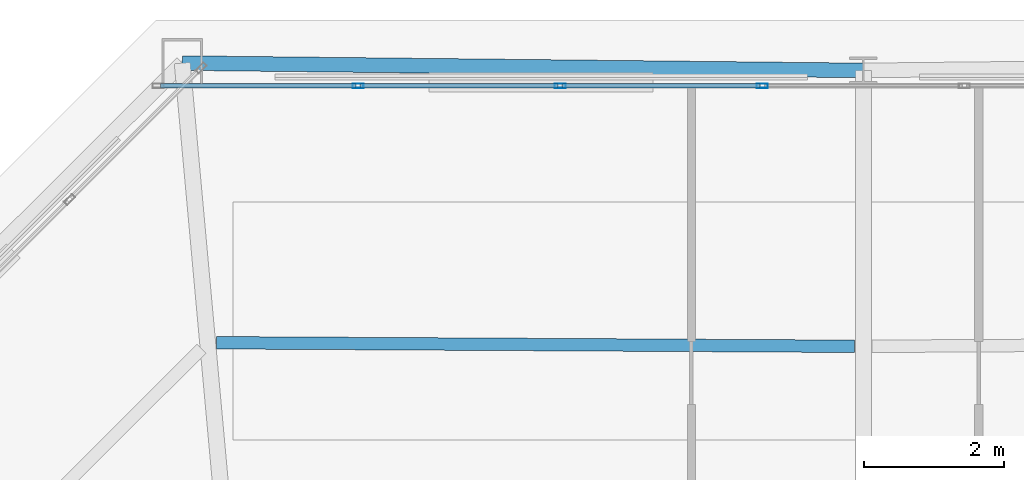
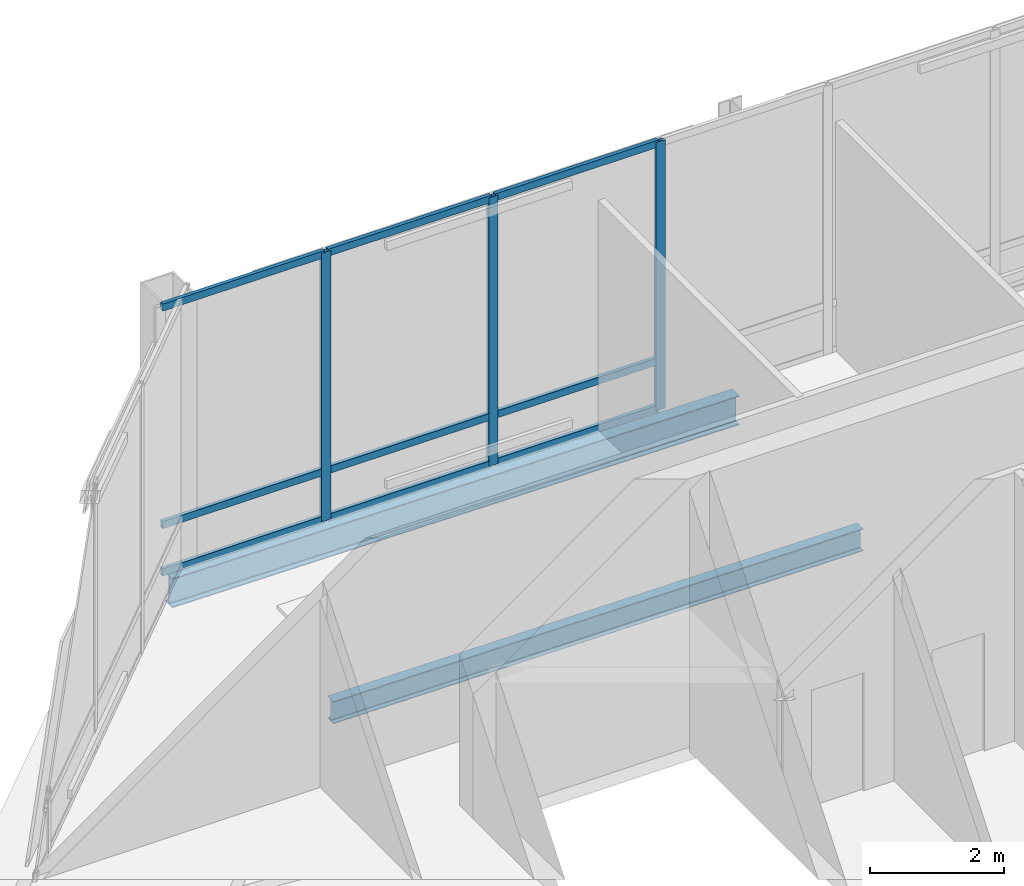
# One storey, part 11 of 21: 12 members, 2 beams, 1 element without a shape of its own.
"""IFC4 building model written with IfcOpenShell, lengths in metres."""

from ifc_helpers import new_model, si_unit, direction, frame, origin, origin_2d, place, context, subcontext, project, spatial, hollow_rectangle, i_section, extrude, material, layer, layer_set, material_profile, profile_set, type_object, element, aggregate, save


model = new_model("IFC4")

# Units and contexts
model_context = context("Model", 3, precision=1e-05, world=origin(), true_north=direction((0.0, 1.0)))
body_context = subcontext(model_context, "Body", "Model", "MODEL_VIEW")
ifc_project = project(units=[si_unit("LENGTHUNIT", "METRE"), si_unit("AREAUNIT", "SQUARE_METRE"), si_unit("VOLUMEUNIT", "CUBIC_METRE"), si_unit("PLANEANGLEUNIT", "RADIAN"), si_unit("MASSUNIT", "GRAM", prefix="KILO")], contexts=[model_context])

# Site, building, storey
site_placement = place(None, origin())
site = spatial("IfcSite", under=ifc_project, at=site_placement, CompositionType="ELEMENT")
building_placement = place(site_placement, origin())
building = spatial("IfcBuilding", under=site, at=building_placement, Name="Caelvoria Tower", CompositionType="ELEMENT")
storey_placement = place(building_placement, frame((0.0, 0.0, 279.0)))
storey = spatial("IfcBuildingStorey", under=building, at=storey_placement, Name="L74", CompositionType="ELEMENT", Elevation=279.0)

# Curtain wall, members
ifc_material_1 = material(Name="Anodised Bronze Aluminium and Low-E Glass", Category="aluminium")
ifc_layer = layer(ifc_material_1, 0.205078125, Name="Anodised Bronze Aluminium and Low-E Glass")
ifc_layer_set = layer_set([ifc_layer], Name="CW System 5 Observation Panorama Low-Iron Facade - Anodised Bronze Aluminium and Low-E Glass")
curtain_wall_type = type_object("IfcCurtainWallType", Name="CW System 5 Observation Panorama Low-Iron Facade", PredefinedType="NOTDEFINED", material=ifc_layer_set)
curtain_wall_placement = place(storey_placement, origin())
curtain_wall = element("IfcCurtainWall", 1, at=curtain_wall_placement, inside=storey, type_object=curtain_wall_type, Name="CW-05 Curtain Wall L74-E4", PredefinedType="NOTDEFINED")
ifc_material_2 = material(Name="Anodised Bronze Architectural Aluminium", Category="aluminium")
ifc_material_profile_1 = material_profile(ifc_material_2, hollow_rectangle(XDim=0.06494140625, YDim=0.159912109375, WallThickness=0.00390625, at=origin_2d()), Name="Anodised Bronze Architectural Aluminium")
ifc_profile_set_1 = profile_set([ifc_material_profile_1], Name="CW_MULL_65X160 - Anodised Bronze Architectural Aluminium")
member_type_1 = type_object("IfcMemberType", Name="Curtain Wall Mullion 65x160 Bronze Aluminium", PredefinedType="MULLION", material=ifc_profile_set_1)
member_1_placement = place(storey_placement, frame((44.55712890625, 47.659912109375, 0.0), z_axis=(0.0, 0.0, 1.0), x_axis=(0.0, -1.0, 0.0)))
member_1 = element("IfcMember", 2, at=member_1_placement, type_object=member_type_1, Name="CW-05 mullion 5", PredefinedType="MULLION", context=body_context, shape_type="SweptSolid", body=[
    extrude(hollow_rectangle(XDim=0.06494140625, YDim=0.159912109375, WallThickness=0.00390625, at=origin_2d()), origin(), (0.0, 0.0, 1.0), 4.89990234375),
])
member_2_placement = place(storey_placement, frame((41.67138671875, 47.659912109375, 0.0), z_axis=(0.0, 0.0, 1.0), x_axis=(0.0, -1.0, 0.0)))
member_2 = element("IfcMember", 3, at=member_2_placement, type_object=member_type_1, Name="CW-05 mullion 6", PredefinedType="MULLION", context=body_context, shape_type="SweptSolid", body=[
    extrude(hollow_rectangle(XDim=0.06494140625, YDim=0.159912109375, WallThickness=0.00390625, at=origin_2d()), origin(), (0.0, 0.0, 1.0), 4.89990234375),
])
member_3_placement = place(storey_placement, frame((38.78564453125, 47.659912109375, 0.0), z_axis=(0.0, 0.0, 1.0), x_axis=(0.0, -1.0, 0.0)))
member_3 = element("IfcMember", 4, at=member_3_placement, type_object=member_type_1, Name="CW-05 mullion 7", PredefinedType="MULLION", context=body_context, shape_type="SweptSolid", body=[
    extrude(hollow_rectangle(XDim=0.06494140625, YDim=0.159912109375, WallThickness=0.00390625, at=origin_2d()), origin(), (0.0, 0.0, 1.0), 4.89990234375),
])
ifc_material_profile_2 = material_profile(ifc_material_2, hollow_rectangle(XDim=0.06494140625, YDim=0.1298828125, WallThickness=0.00341796875, at=origin_2d()), Name="Anodised Bronze Architectural Aluminium")
ifc_profile_set_2 = profile_set([ifc_material_profile_2], Name="CW_TRAN_65X130 - Anodised Bronze Architectural Aluminium")
member_type_2 = type_object("IfcMemberType", Name="Curtain Wall Transom 65x130 Bronze Aluminium", PredefinedType="USERDEFINED", material=ifc_profile_set_2)
member_4_placement = place(storey_placement, frame((44.524658203125, 47.659912109375, 0.032470703125), z_axis=(-1.0, 0.0, 0.0), x_axis=(0.0, -1.0, 0.0)))
member_4 = element("IfcMember", 5, at=member_4_placement, type_object=member_type_2, Name="CW-05 transom 5.1", ObjectType="TRANSOM", PredefinedType="USERDEFINED", context=body_context, shape_type="SweptSolid", body=[
    extrude(hollow_rectangle(XDim=0.06494140625, YDim=0.1298828125, WallThickness=0.00341796875, at=origin_2d()), origin(), (0.0, 0.0, 1.0), 2.82080078125),
])
member_5_placement = place(storey_placement, frame((44.524658203125, 47.659912109375, 0.89990234375), z_axis=(-1.0, 0.0, 0.0), x_axis=(0.0, -1.0, 0.0)))
member_5 = element("IfcMember", 6, at=member_5_placement, type_object=member_type_2, Name="CW-05 transom 5.2", ObjectType="TRANSOM", PredefinedType="USERDEFINED", context=body_context, shape_type="SweptSolid", body=[
    extrude(hollow_rectangle(XDim=0.06494140625, YDim=0.1298828125, WallThickness=0.00341796875, at=origin_2d()), origin(), (0.0, 0.0, 1.0), 2.82080078125),
])
member_6_placement = place(storey_placement, frame((44.524658203125, 47.659912109375, 4.867431640625), z_axis=(-1.0, 0.0, 0.0), x_axis=(0.0, -1.0, 0.0)))
member_6 = element("IfcMember", 7, at=member_6_placement, type_object=member_type_2, Name="CW-05 transom 5.3", ObjectType="TRANSOM", PredefinedType="USERDEFINED", context=body_context, shape_type="SweptSolid", body=[
    extrude(hollow_rectangle(XDim=0.06494140625, YDim=0.1298828125, WallThickness=0.00341796875, at=origin_2d()), origin(), (0.0, 0.0, 1.0), 2.82080078125),
])
member_7_placement = place(storey_placement, frame((41.638916015625, 47.659912109375, 0.032470703125), z_axis=(-1.0, 0.0, 0.0), x_axis=(0.0, -1.0, 0.0)))
member_7 = element("IfcMember", 8, at=member_7_placement, type_object=member_type_2, Name="CW-05 transom 6.1", ObjectType="TRANSOM", PredefinedType="USERDEFINED", context=body_context, shape_type="SweptSolid", body=[
    extrude(hollow_rectangle(XDim=0.06494140625, YDim=0.1298828125, WallThickness=0.00341796875, at=origin_2d()), origin(), (0.0, 0.0, 1.0), 2.82080078125),
])
member_8_placement = place(storey_placement, frame((41.638916015625, 47.659912109375, 0.89990234375), z_axis=(-1.0, 0.0, 0.0), x_axis=(0.0, -1.0, 0.0)))
member_8 = element("IfcMember", 9, at=member_8_placement, type_object=member_type_2, Name="CW-05 transom 6.2", ObjectType="TRANSOM", PredefinedType="USERDEFINED", context=body_context, shape_type="SweptSolid", body=[
    extrude(hollow_rectangle(XDim=0.06494140625, YDim=0.1298828125, WallThickness=0.00341796875, at=origin_2d()), origin(), (0.0, 0.0, 1.0), 2.82080078125),
])
member_9_placement = place(storey_placement, frame((41.638916015625, 47.659912109375, 4.867431640625), z_axis=(-1.0, 0.0, 0.0), x_axis=(0.0, -1.0, 0.0)))
member_9 = element("IfcMember", 10, at=member_9_placement, type_object=member_type_2, Name="CW-05 transom 6.3", ObjectType="TRANSOM", PredefinedType="USERDEFINED", context=body_context, shape_type="SweptSolid", body=[
    extrude(hollow_rectangle(XDim=0.06494140625, YDim=0.1298828125, WallThickness=0.00341796875, at=origin_2d()), origin(), (0.0, 0.0, 1.0), 2.82080078125),
])
member_10_placement = place(storey_placement, frame((38.753173828125, 47.659912109375, 0.032470703125), z_axis=(-1.0, 0.0, 0.0), x_axis=(0.0, -1.0, 0.0)))
member_10 = element("IfcMember", 11, at=member_10_placement, type_object=member_type_2, Name="CW-05 transom 7.1", ObjectType="TRANSOM", PredefinedType="USERDEFINED", context=body_context, shape_type="SweptSolid", body=[
    extrude(hollow_rectangle(XDim=0.06494140625, YDim=0.1298828125, WallThickness=0.00341796875, at=origin_2d()), origin(), (0.0, 0.0, 1.0), 2.7880859375),
])
member_11_placement = place(storey_placement, frame((38.753173828125, 47.659912109375, 0.89990234375), z_axis=(-1.0, 0.0, 0.0), x_axis=(0.0, -1.0, 0.0)))
member_11 = element("IfcMember", 12, at=member_11_placement, type_object=member_type_2, Name="CW-05 transom 7.2", ObjectType="TRANSOM", PredefinedType="USERDEFINED", context=body_context, shape_type="SweptSolid", body=[
    extrude(hollow_rectangle(XDim=0.06494140625, YDim=0.1298828125, WallThickness=0.00341796875, at=origin_2d()), origin(), (0.0, 0.0, 1.0), 2.7880859375),
])
member_12_placement = place(storey_placement, frame((38.753173828125, 47.659912109375, 4.867431640625), z_axis=(-1.0, 0.0, 0.0), x_axis=(0.0, -1.0, 0.0)))
member_12 = element("IfcMember", 13, at=member_12_placement, type_object=member_type_2, Name="CW-05 transom 7.3", ObjectType="TRANSOM", PredefinedType="USERDEFINED", context=body_context, shape_type="SweptSolid", body=[
    extrude(hollow_rectangle(XDim=0.06494140625, YDim=0.1298828125, WallThickness=0.00341796875, at=origin_2d()), origin(), (0.0, 0.0, 1.0), 2.7880859375),
])
aggregate(curtain_wall, [member_1, member_2, member_3, member_4, member_5, member_6, member_7, member_8, member_9, member_10, member_11, member_12])

# Beams
ifc_material_3 = material(Name="Structural Steel ASTM A992 Gr.50", Category="steel")
ifc_material_profile_3 = material_profile(ifc_material_3, i_section(OverallWidth=0.177978515625, OverallDepth=0.406982421875, WebThickness=0.0078125, FlangeThickness=0.0126953125, FilletRadius=0.013916015625, at=origin_2d()), Name="Structural Steel ASTM A992 Gr.50")
ifc_profile_set_3 = profile_set([ifc_material_profile_3], Name="W410X60 - Structural Steel ASTM A992 Gr.50")
beam_type_1 = type_object("IfcBeamType", Name="Secondary Floor Beam W410X60", PredefinedType="BEAM", material=ifc_profile_set_3)
beam_1_placement = place(storey_placement, frame((45.875, 43.940673828125, -0.54345703125), z_axis=(-0.999984324209, 0.005599226377, 0.0), x_axis=(-0.005599226377, -0.999984324209, 0.0)))
element("IfcBeam", 14, at=beam_1_placement, inside=storey, type_object=beam_type_1, Name="Secondary Floor Beam L74-07", PredefinedType="BEAM", context=body_context, shape_type="SweptSolid", body=[
    extrude(i_section(OverallWidth=0.177978515625, OverallDepth=0.406982421875, WebThickness=0.0078125, FlangeThickness=0.0126953125, FilletRadius=0.013916015625, at=origin_2d()), origin(), (0.0, 0.0, 1.0), 9.113037109375),
])
ifc_material_profile_4 = material_profile(ifc_material_3, i_section(OverallWidth=0.208984375, OverallDepth=0.532958984375, WebThickness=0.01025390625, FlangeThickness=0.015625, FilletRadius=0.01611328125, at=origin_2d()), Name="Structural Steel ASTM A992 Gr.50")
ifc_profile_set_4 = profile_set([ifc_material_profile_4], Name="W530X92 - Structural Steel ASTM A992 Gr.50")
beam_type_2 = type_object("IfcBeamType", Name="Upper Zone Spandrel W530X92", PredefinedType="BEAM", material=ifc_profile_set_4)
beam_2_placement = place(storey_placement, frame((46.0, 47.8798828125, -0.6064453125), z_axis=(-0.999941750029, 0.010793356742, 0.0), x_axis=(-0.010793356742, -0.999941750029, 0.0)))
element("IfcBeam", 15, at=beam_2_placement, inside=storey, type_object=beam_type_2, Name="Perimeter Spandrel Girder L74-07", PredefinedType="BEAM", context=body_context, shape_type="SweptSolid", body=[
    extrude(i_section(OverallWidth=0.208984375, OverallDepth=0.532958984375, WebThickness=0.01025390625, FlangeThickness=0.015625, FilletRadius=0.01611328125, at=origin_2d()), origin(), (0.0, 0.0, 1.0), 9.726318359375),
])

save(model, "model.ifc")
